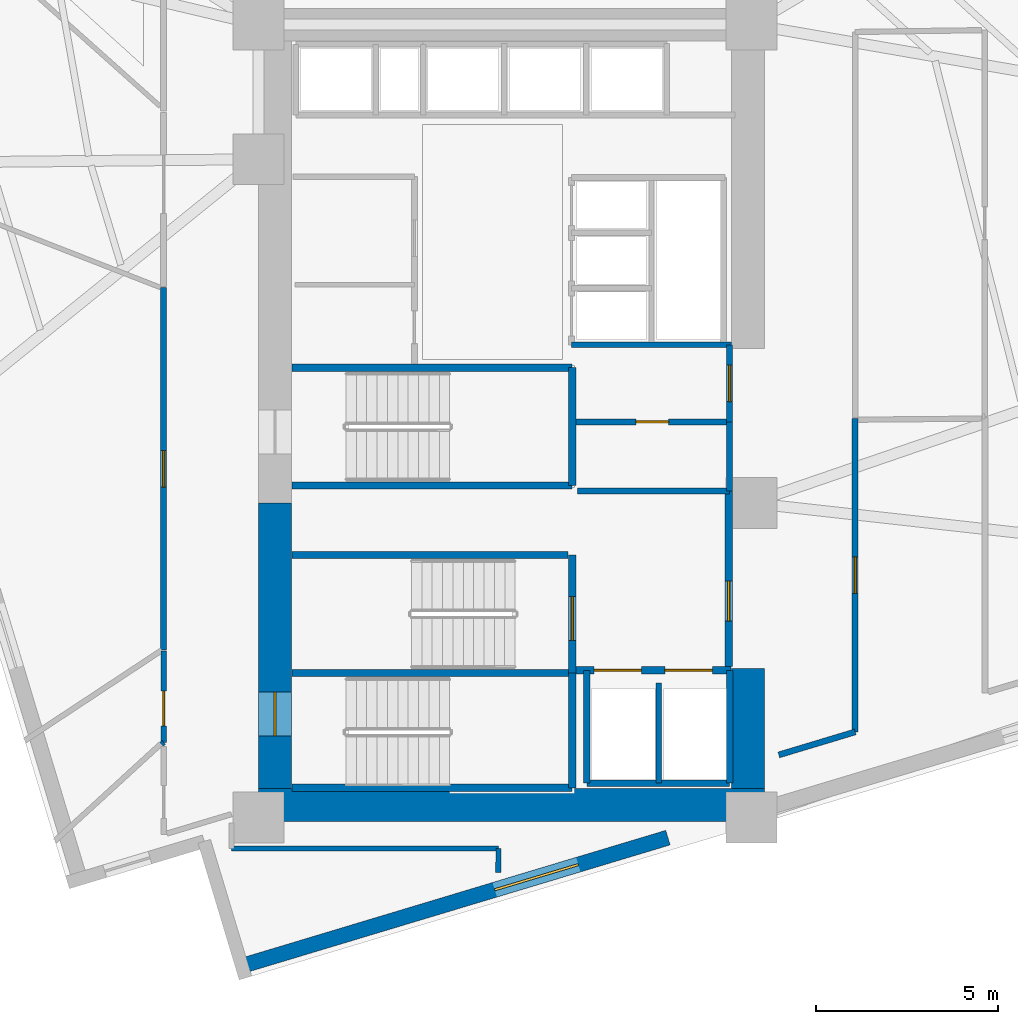
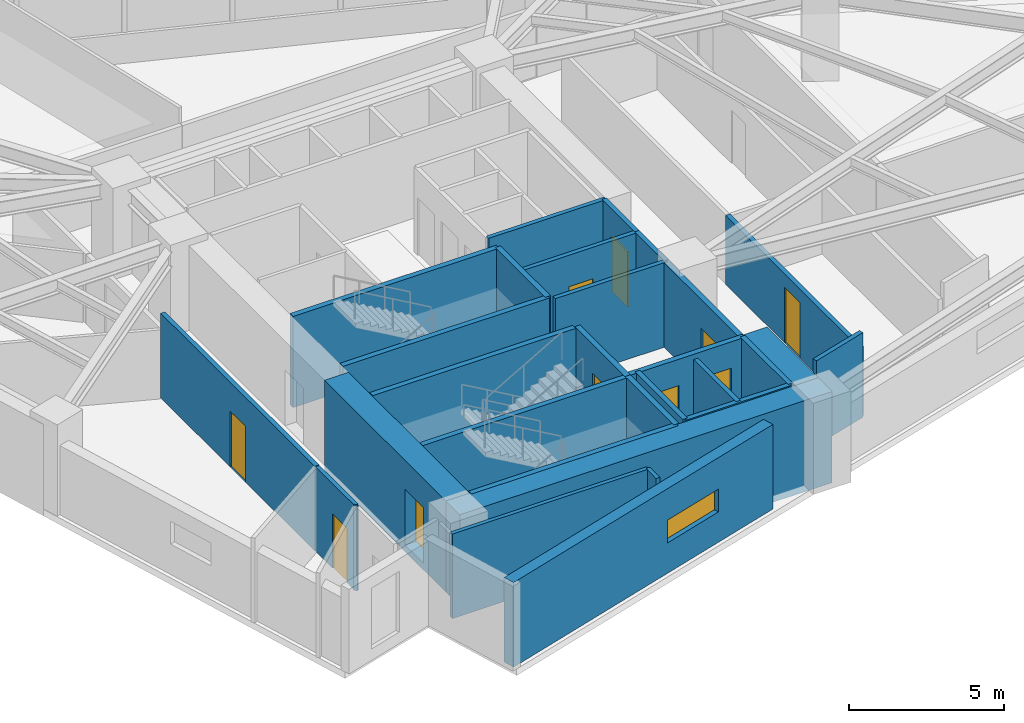
# One storey, part 10 of 15: 30 walls, 10 doors, 1 window, 11 openings.
"""IFC4 building model written with IfcOpenShell, lengths in metres."""

from ifc_helpers import new_model, si_unit, direction, frame, frame_2d, origin, place, context, subcontext, project, spatial, rectangle, extrude, material, layer, layer_set, type_object, element, fill, save


model = new_model("IFC4")

# Units and contexts
model_context = context("Model", 3, precision=1e-05, world=origin(), true_north=direction((0.0, 1.0)))
body_context = subcontext(model_context, "Body", "Model", "MODEL_VIEW")
ifc_project = project(units=[si_unit("LENGTHUNIT", "METRE"), si_unit("AREAUNIT", "SQUARE_METRE"), si_unit("VOLUMEUNIT", "CUBIC_METRE"), si_unit("PLANEANGLEUNIT", "RADIAN"), si_unit("MASSUNIT", "GRAM", prefix="KILO")], contexts=[model_context])

# Site, building, storey
site_placement = place(None, origin())
site = spatial("IfcSite", under=ifc_project, at=site_placement, CompositionType="ELEMENT")
building_placement = place(site_placement, origin())
building = spatial("IfcBuilding", under=site, at=building_placement, Name="Narakoshi Arena Tower", CompositionType="ELEMENT")
storey_placement = place(building_placement, frame((0.0, 0.0, 157.5)))
storey = spatial("IfcBuildingStorey", under=building, at=storey_placement, Name="L42", CompositionType="ELEMENT", Elevation=157.5)

# Wall, opening, door
ifc_material_1 = material(Name="Concrete C60/75", Category="concrete")
ifc_layer_1 = layer(ifc_material_1, 0.89990234375)
ifc_layer_set_1 = layer_set([ifc_layer_1], Name="Concrete C60/75")
wall_type_1 = type_object("IfcWallType", Name="WL-CORE-900", PredefinedType="SHEAR", material=ifc_layer_set_1)
wall_1_placement = place(storey_placement, frame((72.449951171875, 35.5, -0.260009765625), z_axis=(0.0, 0.0, 1.0), x_axis=(0.0, 1.0, 0.0)))
wall_1 = element("IfcWall", 1, at=wall_1_placement, inside=storey, type_object=wall_type_1, Name="L42 Central Core Shear Wall CW-APX-W", PredefinedType="SHEAR", context=body_context, shape_type="SweptSolid", body=[
    extrude(rectangle(XDim=7.85009765625, YDim=0.89990234375, at=frame_2d((3.925048828125, 0.0))), origin(), (0.0, 0.0, 1.0), 3.60009765625),
])
opening_1_placement = place(wall_1_placement, frame((1.449951171875, 0.0, 0.260009765625)))
opening_1 = element("IfcOpeningElement", 2, at=opening_1_placement, cuts=wall_1, Name="Opening D-03", PredefinedType="OPENING", context=body_context, shape_type="SweptSolid", body=[
    extrude(rectangle(XDim=1.199951171875, YDim=2.199951171875, at=frame_2d((0.60009765625, 1.10009765625))), frame((0.0, 0.4599609375, 0.0), z_axis=(0.0, -1.0, 0.0), x_axis=(1.0, 0.0, 0.0)), (0.0, 0.0, 1.0), 0.919921875),
])
ifc_material_2 = material(Name="Painted galvanized steel", Category="steel")
door_type_1 = type_object("IfcDoorType", Name="DR-STR-1200", OperationType="NOTDEFINED", PredefinedType="USERDEFINED", material=ifc_material_2)
door_1_placement = place(opening_1_placement, frame((1.199951171875, 0.0, 0.0), z_axis=(0.0, 0.0, 1.0), x_axis=(-1.0, 0.0, 0.0)))
door_1 = element("IfcDoor", 3, at=door_1_placement, inside=storey, type_object=door_type_1, Name="DR-L42-001", ObjectType="EXITDOOR", OperationType="SINGLE_SWING_LEFT", OverallHeight=2.199951171875, OverallWidth=1.199951171875, PredefinedType="USERDEFINED", context=body_context, shape_type="SweptSolid", body=[
    extrude(rectangle(XDim=1.199951171875, YDim=2.199951171875, at=frame_2d((0.60009765625, 1.10009765625))), frame((0.0, 0.02490234375, 0.0), z_axis=(0.0, -1.0, 0.0), x_axis=(1.0, 0.0, 0.0)), (0.0, 0.0, 1.0), 0.050048828125),
])
fill(opening_1, door_1)

# Walls
wall_2_placement = place(storey_placement, frame((72.0, 35.050048828125, -0.260009765625), z_axis=(0.0, 0.0, 1.0), x_axis=(1.0, 0.0, 0.0)))
element("IfcWall", 4, at=wall_2_placement, inside=storey, type_object=wall_type_1, Name="L42 Central Core Shear Wall CW-APX-S", PredefinedType="SHEAR", context=body_context, shape_type="SweptSolid", body=[
    extrude(rectangle(XDim=13.89990234375, YDim=0.89990234375, at=frame_2d((6.949951171875, 0.0))), origin(), (0.0, 0.0, 1.0), 3.60009765625),
])
wall_3_placement = place(storey_placement, frame((85.449951171875, 35.5, -0.260009765625), z_axis=(0.0, 0.0, 1.0), x_axis=(0.0, 1.0, 0.0)))
element("IfcWall", 5, at=wall_3_placement, inside=storey, type_object=wall_type_1, Name="L42 Central Core Shear Wall CW-APX-E", PredefinedType="SHEAR", context=body_context, shape_type="SweptSolid", body=[
    extrude(rectangle(XDim=3.300048828125, YDim=0.89990234375, at=frame_2d((1.64990234375, 0.0))), origin(), (0.0, 0.0, 1.0), 3.60009765625),
])

# Wall, opening, door
ifc_material_3 = material(Name="Gypsum plasterboard fire-rated partition")
ifc_layer_2 = layer(ifc_material_3, 0.1650390625)
ifc_layer_set_2 = layer_set([ifc_layer_2], Name="Gypsum plasterboard fire-rated partition")
wall_type_2 = type_object("IfcWallType", Name="WL-CORR-165", PredefinedType="PARTITIONING", material=ifc_layer_set_2)
wall_4_placement = place(storey_placement, frame((84.949951171875, 45.580078125, 0.0), z_axis=(0.0, 0.0, 1.0), x_axis=(0.0, 1.0, 0.0)))
wall_4 = element("IfcWall", 6, at=wall_4_placement, inside=storey, type_object=wall_type_2, Name="L42 Core Wall CPAS-E", PredefinedType="PARTITIONING", context=body_context, shape_type="SweptSolid", body=[
    extrude(rectangle(XDim=2.119873046875, YDim=0.1650390625, at=frame_2d((1.06005859375, 0.0))), origin(), (0.0, 0.0, 1.0), 3.340087890625),
])
opening_2_placement = place(wall_4_placement, frame((0.56005859375, 0.0, 0.0)))
opening_2 = element("IfcOpeningElement", 7, at=opening_2_placement, cuts=wall_4, Name="Opening D-06", PredefinedType="OPENING", context=body_context, shape_type="SweptSolid", body=[
    extrude(rectangle(XDim=1.0, YDim=2.199951171875, at=frame_2d((0.5, 1.10009765625))), frame((0.0, 0.092529296875, 0.0), z_axis=(0.0, -1.0, 0.0), x_axis=(1.0, 0.0, 0.0)), (0.0, 0.0, 1.0), 0.18505859375),
])
ifc_material_4 = material(Name="Stained oak solid-core timber", Category="wood")
door_type_2 = type_object("IfcDoorType", Name="DR-OFF-1000", OperationType="NOTDEFINED", PredefinedType="DOOR", material=ifc_material_4)
door_2_placement = place(opening_2_placement, frame((1.0, 0.0, 0.0), z_axis=(0.0, 0.0, 1.0), x_axis=(-1.0, 0.0, 0.0)))
door_2 = element("IfcDoor", 8, at=door_2_placement, inside=storey, type_object=door_type_2, Name="DR-L42-007", OperationType="SINGLE_SWING_LEFT", OverallHeight=2.199951171875, OverallWidth=1.0, PredefinedType="DOOR", context=body_context, shape_type="SweptSolid", body=[
    extrude(rectangle(XDim=1.0, YDim=2.199951171875, at=frame_2d((0.5, 1.10009765625))), frame((0.0, 0.02490234375, 0.0), z_axis=(0.0, -1.0, 0.0), x_axis=(1.0, 0.0, 0.0)), (0.0, 0.0, 1.0), 0.050048828125),
])
fill(opening_2, door_2)

wall_5_placement = place(storey_placement, frame((69.388916015625, 49.27392578125, 0.0), z_axis=(0.0, 0.0, 1.0), x_axis=(0.0, -1.0, 0.0)))
wall_5 = element("IfcWall", 9, at=wall_5_placement, inside=storey, type_object=wall_type_2, Name="L42 Corridor Partition 01-1", PredefinedType="PARTITIONING", context=body_context, shape_type="SweptSolid", body=[
    extrude(rectangle(XDim=9.96826171875, YDim=0.1650390625, at=frame_2d((4.984130859375, 0.0))), origin(), (0.0, 0.0, 1.0), 3.340087890625),
])
opening_3_placement = place(wall_5_placement, frame((4.484130859375, 0.0, 0.0)))
opening_3 = element("IfcOpeningElement", 10, at=opening_3_placement, cuts=wall_5, Name="Opening D-06", PredefinedType="OPENING", context=body_context, shape_type="SweptSolid", body=[
    extrude(rectangle(XDim=1.0, YDim=2.199951171875, at=frame_2d((0.5, 1.10009765625))), frame((0.0, 0.092529296875, 0.0), z_axis=(0.0, -1.0, 0.0), x_axis=(1.0, 0.0, 0.0)), (0.0, 0.0, 1.0), 0.18505859375),
])
door_3_placement = place(opening_3_placement, frame((1.0, 0.0, 0.0), z_axis=(0.0, 0.0, 1.0), x_axis=(-1.0, 0.0, 0.0)))
door_3 = element("IfcDoor", 11, at=door_3_placement, inside=storey, type_object=door_type_2, Name="DR-L42-014", OperationType="SINGLE_SWING_RIGHT", OverallHeight=2.199951171875, OverallWidth=1.0, PredefinedType="DOOR", context=body_context, shape_type="SweptSolid", body=[
    extrude(rectangle(XDim=1.0, YDim=2.199951171875, at=frame_2d((0.5, 1.10009765625))), frame((0.0, 0.02490234375, 0.0), z_axis=(0.0, -1.0, 0.0), x_axis=(1.0, 0.0, 0.0)), (0.0, 0.0, 1.0), 0.050048828125),
])
fill(opening_3, door_3)

wall_6_placement = place(storey_placement, frame((88.39990234375, 37.05712890625, 0.0), z_axis=(0.0, 0.0, 1.0), x_axis=(0.0, 1.0, 0.0)))
wall_6 = element("IfcWall", 12, at=wall_6_placement, inside=storey, type_object=wall_type_2, Name="L42 Corridor Partition 04-1", PredefinedType="PARTITIONING", context=body_context, shape_type="SweptSolid", body=[
    extrude(rectangle(XDim=8.6181640625, YDim=0.1650390625, at=frame_2d((4.30908203125, 0.0))), origin(), (0.0, 0.0, 1.0), 2.72509765625),
])
opening_4_placement = place(wall_6_placement, frame((3.80908203125, 0.0, 0.0)))
opening_4 = element("IfcOpeningElement", 13, at=opening_4_placement, cuts=wall_6, Name="Opening D-06", PredefinedType="OPENING", context=body_context, shape_type="SweptSolid", body=[
    extrude(rectangle(XDim=1.0, YDim=2.199951171875, at=frame_2d((0.5, 1.10009765625))), frame((0.0, 0.092529296875, 0.0), z_axis=(0.0, -1.0, 0.0), x_axis=(1.0, 0.0, 0.0)), (0.0, 0.0, 1.0), 0.18505859375),
])
door_4_placement = place(opening_4_placement, frame((1.0, 0.0, 0.0), z_axis=(0.0, 0.0, 1.0), x_axis=(-1.0, 0.0, 0.0)))
door_4 = element("IfcDoor", 14, at=door_4_placement, inside=storey, type_object=door_type_2, Name="DR-L42-017", OperationType="SINGLE_SWING_LEFT", OverallHeight=2.199951171875, OverallWidth=1.0, PredefinedType="DOOR", context=body_context, shape_type="SweptSolid", body=[
    extrude(rectangle(XDim=1.0, YDim=2.199951171875, at=frame_2d((0.5, 1.10009765625))), frame((0.0, 0.02490234375, 0.0), z_axis=(0.0, -1.0, 0.0), x_axis=(1.0, 0.0, 0.0)), (0.0, 0.0, 1.0), 0.050048828125),
])
fill(opening_4, door_4)

# Wall
wall_7_placement = place(storey_placement, frame((86.300048828125, 36.425048828125, 0.0), z_axis=(0.0, 0.0, 1.0), x_axis=(0.957559291079, 0.288236368399, 0.0)))
element("IfcWall", 15, at=wall_7_placement, inside=storey, type_object=wall_type_2, Name="L42 Corridor Partition 04-5", PredefinedType="PARTITIONING", context=body_context, shape_type="SweptSolid", body=[
    extrude(rectangle(XDim=2.19287109375, YDim=0.1650390625, at=frame_2d((1.096435546875, 0.0))), origin(), (0.0, 0.0, 1.0), 3.340087890625),
])

# Wall, opening, window
ifc_material_5 = material(Name="Precast concrete C45/55", Category="concrete")
ifc_layer_3 = layer(ifc_material_5, 0.419921875)
ifc_layer_set_3 = layer_set([ifc_layer_3], Name="Precast concrete C45/55")
wall_type_3 = type_object("IfcWallType", Name="WL-POD-420", PredefinedType="SOLIDWALL", material=ifc_layer_set_3)
wall_8_placement = place(storey_placement, frame((71.53466796875, 30.62353515625, 0.0), z_axis=(0.0, 0.0, 1.0), x_axis=(0.957571099539, 0.288197136226, 0.0)))
wall_8 = element("IfcWall", 16, at=wall_8_placement, inside=storey, type_object=wall_type_3, Name="L42 Architectural Concrete Facade Wall LEGA-1", PredefinedType="SOLIDWALL", context=body_context, shape_type="SweptSolid", body=[
    extrude(rectangle(XDim=12.23583984375, YDim=0.419921875, at=frame_2d((6.117919921875, 0.0))), origin(), (0.0, 0.0, 1.0), 3.340087890625),
])
opening_5_placement = place(wall_8_placement, frame((7.263916015625, 0.0, 1.199951171875)))
opening_5 = element("IfcOpeningElement", 17, at=opening_5_placement, cuts=wall_8, Name="Opening WN-01", PredefinedType="OPENING", context=body_context, shape_type="SweptSolid", body=[
    extrude(rectangle(XDim=2.39990234375, YDim=0.89990234375, at=frame_2d((1.199951171875, 0.449951171875))), frame((0.0, 0.219970703125, 0.0), z_axis=(0.0, -1.0, 0.0), x_axis=(1.0, 0.0, 0.0)), (0.0, 0.0, 1.0), 0.43994140625),
])
ifc_material_6 = material(Name="Bronze-tinted low-E laminated glass", Category="glass")
window_type = type_object("IfcWindowType", Name="WIN-SLT-24x09", PartitioningType="SINGLE_PANEL", PredefinedType="WINDOW", material=ifc_material_6)
window_placement = place(opening_5_placement, origin())
window = element("IfcWindow", 18, at=window_placement, inside=storey, type_object=window_type, Name="L42 LEGA1 Horizontal Slot Window 1", OverallHeight=0.89990234375, OverallWidth=2.39990234375, PartitioningType="SINGLE_PANEL", PredefinedType="WINDOW", context=body_context, shape_type="SweptSolid", body=[
    extrude(rectangle(XDim=2.39990234375, YDim=0.89990234375, at=frame_2d((1.199951171875, 0.449951171875))), frame((0.0, 0.030029296875, 0.0), z_axis=(0.0, -1.0, 0.0), x_axis=(1.0, 0.0, 0.0)), (0.0, 0.0, 1.0), 0.06005859375),
])
fill(opening_5, window)

# Walls
ifc_material_7 = material(Name="Concrete C40/50", Category="concrete")
ifc_layer_4 = layer(ifc_material_7, 0.280029296875)
ifc_layer_set_4 = layer_set([ifc_layer_4], Name="Concrete C40/50")
wall_type_4 = type_object("IfcWallType", Name="WL-RISER-280", PredefinedType="PLUMBINGWALL", material=ifc_layer_set_4)
wall_9_placement = place(storey_placement, frame((83.0, 35.64990234375, 0.0), z_axis=(0.0, 0.0, 1.0), x_axis=(0.0, 1.0, 0.0)))
element("IfcWall", 19, at=wall_9_placement, inside=storey, type_object=wall_type_4, Name="L42 Core Wall FF-DIV", PredefinedType="PLUMBINGWALL", context=body_context, shape_type="SweptSolid", body=[
    extrude(rectangle(XDim=2.75, YDim=0.159912109375, at=frame_2d((1.375, 0.0))), origin(), (0.0, 0.0, 1.0), 3.340087890625),
])
wall_10_placement = place(storey_placement, frame((84.949951171875, 43.679931640625, 0.0), z_axis=(0.0, 0.0, 1.0), x_axis=(0.0, 1.0, 0.0)))
element("IfcWall", 20, at=wall_10_placement, inside=storey, type_object=wall_type_4, Name="L42 Core Wall RSR-E", PredefinedType="PLUMBINGWALL", context=body_context, shape_type="SweptSolid", body=[
    extrude(rectangle(XDim=1.900146484375, YDim=0.1650390625, at=frame_2d((0.9501953125, 0.0))), origin(), (0.0, 0.0, 1.0), 3.340087890625),
])

# Wall, opening, door
wall_11_placement = place(storey_placement, frame((80.719970703125, 45.580078125, 0.0), z_axis=(0.0, 0.0, 1.0), x_axis=(1.0, 0.0, 0.0)))
wall_11 = element("IfcWall", 21, at=wall_11_placement, inside=storey, type_object=wall_type_4, Name="L42 Core Wall RSR-N", PredefinedType="PLUMBINGWALL", context=body_context, shape_type="SweptSolid", body=[
    extrude(rectangle(XDim=4.22998046875, YDim=0.159912109375, at=frame_2d((2.114990234375, 0.0))), origin(), (0.0, 0.0, 1.0), 3.340087890625),
])
opening_6_placement = place(wall_11_placement, frame((1.64990234375, 0.0, 0.0)))
opening_6 = element("IfcOpeningElement", 22, at=opening_6_placement, cuts=wall_11, Name="Opening D-08", PredefinedType="OPENING", context=body_context, shape_type="SweptSolid", body=[
    extrude(rectangle(XDim=0.89990234375, YDim=2.10009765625, at=frame_2d((0.449951171875, 1.050048828125))), frame((0.0, 0.08984375, 0.0), z_axis=(0.0, -1.0, 0.0), x_axis=(1.0, 0.0, 0.0)), (0.0, 0.0, 1.0), 0.179931640625),
])
ifc_material_8 = material(Name="Moisture-resistant laminate timber", Category="wood")
door_type_3 = type_object("IfcDoorType", Name="DR-WC-900", OperationType="NOTDEFINED", PredefinedType="DOOR", material=ifc_material_8)
door_5_placement = place(opening_6_placement, frame((0.89990234375, 0.0, 0.0), z_axis=(0.0, 0.0, 1.0), x_axis=(-1.0, 0.0, 0.0)))
door_5 = element("IfcDoor", 23, at=door_5_placement, inside=storey, type_object=door_type_3, Name="DR-L42-008", OperationType="SINGLE_SWING_LEFT", OverallHeight=2.10009765625, OverallWidth=0.89990234375, PredefinedType="DOOR", context=body_context, shape_type="SweptSolid", body=[
    extrude(rectangle(XDim=0.89990234375, YDim=2.10009765625, at=frame_2d((0.449951171875, 1.050048828125))), frame((0.0, 0.02490234375, 0.0), z_axis=(0.0, -1.0, 0.0), x_axis=(1.0, 0.0, 0.0)), (0.0, 0.0, 1.0), 0.050048828125),
])
fill(opening_6, door_5)

# Walls
wall_12_placement = place(storey_placement, frame((80.760009765625, 43.679931640625, 0.0), z_axis=(0.0, 0.0, 1.0), x_axis=(1.0, 0.0, 0.0)))
element("IfcWall", 24, at=wall_12_placement, inside=storey, type_object=wall_type_4, Name="L42 Core Wall RSR-S", PredefinedType="PLUMBINGWALL", context=body_context, shape_type="SweptSolid", body=[
    extrude(rectangle(XDim=4.18994140625, YDim=0.159912109375, at=frame_2d((2.094970703125, 0.0))), origin(), (0.0, 0.0, 1.0), 3.340087890625),
])
ifc_material_9 = material(Name="Concrete C50/60", Category="concrete")
ifc_layer_5 = layer(ifc_material_9, 0.35009765625)
ifc_layer_set_5 = layer_set([ifc_layer_5], Name="Concrete C50/60")
wall_type_5 = type_object("IfcWallType", Name="WL-SHAFT-350", PredefinedType="SOLIDWALL", material=ifc_layer_set_5)
for number, where, z_axis, x_axis, name in (
    (25, (72.919921875, 35.52001953125, -0.260009765625), (0.0, 0.0, 1.0), (1.0, 0.0, 0.0), "L42 Core Wall ST1-S"),
    (26, (72.919921875, 38.675048828125, -0.260009765625), (0.0, 0.0, 1.0), (1.0, 0.0, 0.0), "L42 Core Wall ST12-DIV"),
):
    element("IfcWall", number, at=place(storey_placement, frame(where, z_axis=z_axis, x_axis=x_axis)), inside=storey, type_object=wall_type_5, Name=name, PredefinedType="SOLIDWALL", context=body_context, shape_type="SweptSolid", body=[
        extrude(rectangle(XDim=7.7001953125, YDim=0.199951171875, at=frame_2d((3.85009765625, 0.0))), origin(), (0.0, 0.0, 1.0), 3.60009765625),
    ])
wall_13_placement = place(storey_placement, frame((80.6201171875, 35.52001953125, -0.260009765625), z_axis=(0.0, 0.0, 1.0), x_axis=(0.0, 1.0, 0.0)))
element("IfcWall", 27, at=wall_13_placement, inside=storey, type_object=wall_type_5, Name="L42 Core Wall ST1-E", PredefinedType="SOLIDWALL", context=body_context, shape_type="SweptSolid", body=[
    extrude(rectangle(XDim=3.155029296875, YDim=0.199951171875, at=frame_2d((1.57763671875, 0.0))), origin(), (0.0, 0.0, 1.0), 3.60009765625),
])

# Wall, opening, door
wall_14_placement = place(storey_placement, frame((80.6201171875, 38.675048828125, -0.260009765625), z_axis=(0.0, 0.0, 1.0), x_axis=(0.0, 1.0, 0.0)))
wall_14 = element("IfcWall", 28, at=wall_14_placement, inside=storey, type_object=wall_type_5, Name="L42 Core Wall ST2-E", PredefinedType="SOLIDWALL", context=body_context, shape_type="SweptSolid", body=[
    extrude(rectangle(XDim=3.244873046875, YDim=0.199951171875, at=frame_2d((1.62255859375, 0.0))), origin(), (0.0, 0.0, 1.0), 3.60009765625),
])
opening_7_placement = place(wall_14_placement, frame((0.89990234375, 0.0, 0.260009765625)))
opening_7 = element("IfcOpeningElement", 29, at=opening_7_placement, cuts=wall_14, Name="Opening D-03", PredefinedType="OPENING", context=body_context, shape_type="SweptSolid", body=[
    extrude(rectangle(XDim=1.199951171875, YDim=2.199951171875, at=frame_2d((0.60009765625, 1.10009765625))), frame((0.0, 0.10986328125, 0.0), z_axis=(0.0, -1.0, 0.0), x_axis=(1.0, 0.0, 0.0)), (0.0, 0.0, 1.0), 0.219970703125),
])
door_6_placement = place(opening_7_placement, origin())
door_6 = element("IfcDoor", 30, at=door_6_placement, inside=storey, type_object=door_type_1, Name="DR-L42-002", ObjectType="EXITDOOR", OperationType="SINGLE_SWING_RIGHT", OverallHeight=2.199951171875, OverallWidth=1.199951171875, PredefinedType="USERDEFINED", context=body_context, shape_type="SweptSolid", body=[
    extrude(rectangle(XDim=1.199951171875, YDim=2.199951171875, at=frame_2d((0.60009765625, 1.10009765625))), frame((0.0, 0.02490234375, 0.0), z_axis=(0.0, -1.0, 0.0), x_axis=(1.0, 0.0, 0.0)), (0.0, 0.0, 1.0), 0.050048828125),
])
fill(opening_7, door_6)

# Wall, openings, doors
wall_15_placement = place(storey_placement, frame((80.719970703125, 38.75, 0.0), z_axis=(0.0, 0.0, 1.0), x_axis=(1.0, 0.0, 0.0)))
wall_15 = element("IfcWall", 31, at=wall_15_placement, inside=storey, type_object=wall_type_5, Name="L42 Core Wall FF-N", PredefinedType="SOLIDWALL", context=body_context, shape_type="SweptSolid", body=[
    extrude(rectangle(XDim=4.260009765625, YDim=0.199951171875, at=frame_2d((2.1298828125, 0.0))), origin(), (0.0, 0.0, 1.0), 3.340087890625),
])
opening_8_placement = place(wall_15_placement, frame((0.5, 0.0, 0.0)))
opening_8 = element("IfcOpeningElement", 32, at=opening_8_placement, cuts=wall_15, Name="Opening LD-02", PredefinedType="OPENING", context=body_context, shape_type="SweptSolid", body=[
    extrude(rectangle(XDim=1.300048828125, YDim=2.300048828125, at=frame_2d((0.64990234375, 1.14990234375))), frame((0.0, 0.10986328125, 0.0), z_axis=(0.0, -1.0, 0.0), x_axis=(1.0, 0.0, 0.0)), (0.0, 0.0, 1.0), 0.219970703125),
])
opening_9_placement = place(wall_15_placement, frame((2.449951171875, 0.0, 0.0)))
opening_9 = element("IfcOpeningElement", 33, at=opening_9_placement, cuts=wall_15, Name="Opening LD-02", PredefinedType="OPENING", context=body_context, shape_type="SweptSolid", body=[
    extrude(rectangle(XDim=1.300048828125, YDim=2.300048828125, at=frame_2d((0.64990234375, 1.14990234375))), frame((0.0, 0.10986328125, 0.0), z_axis=(0.0, -1.0, 0.0), x_axis=(1.0, 0.0, 0.0)), (0.0, 0.0, 1.0), 0.219970703125),
])
ifc_material_10 = material(Name="Brushed bronze stainless steel", Category="steel")
door_type_4 = type_object("IfcDoorType", Name="DR-LFT-1300", OperationType="DOUBLE_DOOR_SLIDING", PredefinedType="DOOR", material=ifc_material_10)
door_7_placement = place(opening_8_placement, origin())
door_7 = element("IfcDoor", 34, at=door_7_placement, inside=storey, type_object=door_type_4, Name="DR-L42-003", OperationType="DOUBLE_DOOR_SLIDING", OverallHeight=2.300048828125, OverallWidth=1.300048828125, PredefinedType="DOOR", context=body_context, shape_type="SweptSolid", body=[
    extrude(rectangle(XDim=1.300048828125, YDim=2.300048828125, at=frame_2d((0.64990234375, 1.14990234375))), frame((0.0, 0.02490234375, 0.0), z_axis=(0.0, -1.0, 0.0), x_axis=(1.0, 0.0, 0.0)), (0.0, 0.0, 1.0), 0.050048828125),
])
fill(opening_8, door_7)
door_8_placement = place(opening_9_placement, origin())
door_8 = element("IfcDoor", 35, at=door_8_placement, inside=storey, type_object=door_type_4, Name="DR-L42-004", OperationType="DOUBLE_DOOR_SLIDING", OverallHeight=2.300048828125, OverallWidth=1.300048828125, PredefinedType="DOOR", context=body_context, shape_type="SweptSolid", body=[
    extrude(rectangle(XDim=1.300048828125, YDim=2.300048828125, at=frame_2d((0.64990234375, 1.14990234375))), frame((0.0, 0.02490234375, 0.0), z_axis=(0.0, -1.0, 0.0), x_axis=(1.0, 0.0, 0.0)), (0.0, 0.0, 1.0), 0.050048828125),
])
fill(opening_9, door_8)

# Walls
for number, where, z_axis, x_axis, name in (
    (36, (84.949951171875, 35.64990234375, 0.0), (0.0, 0.0, 1.0), (0.0, 1.0, 0.0), "L42 Core Wall FF-E"),
    (37, (81.02001953125, 35.64990234375, 0.0), (0.0, 0.0, 1.0), (0.0, 1.0, 0.0), "L42 Core Wall FF-W"),
):
    element("IfcWall", number, at=place(storey_placement, frame(where, z_axis=z_axis, x_axis=x_axis)), inside=storey, type_object=wall_type_5, Name=name, PredefinedType="SOLIDWALL", context=body_context, shape_type="SweptSolid", body=[
        extrude(rectangle(XDim=3.10009765625, YDim=0.179931640625, at=frame_2d((1.550048828125, 0.0))), origin(), (0.0, 0.0, 1.0), 3.340087890625),
    ])
wall_16_placement = place(storey_placement, frame((81.02001953125, 35.64990234375, 0.0), z_axis=(0.0, 0.0, 1.0), x_axis=(1.0, 0.0, 0.0)))
element("IfcWall", 38, at=wall_16_placement, inside=storey, type_object=wall_type_5, Name="L42 Core Wall FF-S", PredefinedType="SOLIDWALL", context=body_context, shape_type="SweptSolid", body=[
    extrude(rectangle(XDim=3.929931640625, YDim=0.179931640625, at=frame_2d((1.96484375, 0.0))), origin(), (0.0, 0.0, 1.0), 3.340087890625),
])

# Wall, opening, door
wall_17_placement = place(storey_placement, frame((84.919921875, 38.85009765625, 0.0), z_axis=(0.0, 0.0, 1.0), x_axis=(0.0, 1.0, 0.0)))
wall_17 = element("IfcWall", 39, at=wall_17_placement, inside=storey, type_object=wall_type_5, Name="L42 Core Wall FFLOB-E", PredefinedType="SOLIDWALL", context=body_context, shape_type="SweptSolid", body=[
    extrude(rectangle(XDim=4.829833984375, YDim=0.199951171875, at=frame_2d((2.4150390625, 0.0))), origin(), (0.0, 0.0, 1.0), 3.340087890625),
])
opening_10_placement = place(wall_17_placement, frame((1.25, 0.0, 0.0)))
opening_10 = element("IfcOpeningElement", 40, at=opening_10_placement, cuts=wall_17, Name="Opening D-04", PredefinedType="OPENING", context=body_context, shape_type="SweptSolid", body=[
    extrude(rectangle(XDim=1.10009765625, YDim=2.199951171875, at=frame_2d((0.550048828125, 1.10009765625))), frame((0.0, 0.10986328125, 0.0), z_axis=(0.0, -1.0, 0.0), x_axis=(1.0, 0.0, 0.0)), (0.0, 0.0, 1.0), 0.219970703125),
])
door_type_5 = type_object("IfcDoorType", Name="DR-FFL-1100", OperationType="NOTDEFINED", PredefinedType="DOOR", material=ifc_material_2)
door_9_placement = place(opening_10_placement, frame((1.10009765625, 0.0, 0.0), z_axis=(0.0, 0.0, 1.0), x_axis=(-1.0, 0.0, 0.0)))
door_9 = element("IfcDoor", 41, at=door_9_placement, inside=storey, type_object=door_type_5, Name="DR-L42-005", OperationType="SINGLE_SWING_RIGHT", OverallHeight=2.199951171875, OverallWidth=1.10009765625, PredefinedType="DOOR", context=body_context, shape_type="SweptSolid", body=[
    extrude(rectangle(XDim=1.10009765625, YDim=2.199951171875, at=frame_2d((0.550048828125, 1.10009765625))), frame((0.0, 0.02490234375, 0.0), z_axis=(0.0, -1.0, 0.0), x_axis=(1.0, 0.0, 0.0)), (0.0, 0.0, 1.0), 0.050048828125),
])
fill(opening_10, door_9)

# Walls
wall_18_placement = place(storey_placement, frame((72.919921875, 41.919921875, -0.260009765625), z_axis=(0.0, 0.0, 1.0), x_axis=(1.0, 0.0, 0.0)))
element("IfcWall", 42, at=wall_18_placement, inside=storey, type_object=wall_type_5, Name="L42 Core Wall ST2-N", PredefinedType="SOLIDWALL", context=body_context, shape_type="SweptSolid", body=[
    extrude(rectangle(XDim=7.580078125, YDim=0.199951171875, at=frame_2d((3.7900390625, 0.0))), origin(), (0.0, 0.0, 1.0), 3.60009765625),
])
for number, where, z_axis, x_axis, name in (
    (43, (72.919921875, 43.830078125, -0.260009765625), (0.0, 0.0, 1.0), (1.0, 0.0, 0.0), "L42 Core Wall ST3-S"),
    (44, (72.919921875, 47.070068359375, -0.260009765625), (0.0, 0.0, 1.0), (1.0, 0.0, 0.0), "L42 Core Wall ST3-N"),
):
    element("IfcWall", number, at=place(storey_placement, frame(where, z_axis=z_axis, x_axis=x_axis)), inside=storey, type_object=wall_type_5, Name=name, PredefinedType="SOLIDWALL", context=body_context, shape_type="SweptSolid", body=[
        extrude(rectangle(XDim=7.7001953125, YDim=0.199951171875, at=frame_2d((3.85009765625, 0.0))), origin(), (0.0, 0.0, 1.0), 3.60009765625),
    ])
wall_19_placement = place(storey_placement, frame((80.6201171875, 43.830078125, -0.260009765625), z_axis=(0.0, 0.0, 1.0), x_axis=(0.0, 1.0, 0.0)))
element("IfcWall", 45, at=wall_19_placement, inside=storey, type_object=wall_type_5, Name="L42 Core Wall ST3-E", PredefinedType="SOLIDWALL", context=body_context, shape_type="SweptSolid", body=[
    extrude(rectangle(XDim=3.239990234375, YDim=0.199951171875, at=frame_2d((1.6201171875, 0.0))), origin(), (0.0, 0.0, 1.0), 3.60009765625),
])
wall_20_placement = place(storey_placement, frame((80.60009765625, 47.699951171875, 0.0), z_axis=(0.0, 0.0, 1.0), x_axis=(1.0, 0.0, 0.0)))
element("IfcWall", 46, at=wall_20_placement, inside=storey, type_object=wall_type_5, Name="L42 Core Wall MR-S", PredefinedType="SOLIDWALL", context=body_context, shape_type="SweptSolid", body=[
    extrude(rectangle(XDim=4.39990234375, YDim=0.159912109375, at=frame_2d((2.199951171875, 0.0))), origin(), (0.0, 0.0, 1.0), 3.340087890625),
])

# Wall, opening, door
ifc_material_11 = material(Name="Moisture-resistant cement-board partition")
ifc_layer_6 = layer(ifc_material_11, 0.14501953125)
ifc_layer_set_6 = layer_set([ifc_layer_6], Name="Moisture-resistant cement-board partition")
wall_type_6 = type_object("IfcWallType", Name="WL-WET-145", PredefinedType="PARTITIONING", material=ifc_layer_set_6)
wall_21_placement = place(storey_placement, frame((69.388916015625, 39.27685546875, 0.0), z_axis=(0.0, 0.0, 1.0), x_axis=(0.0, -1.0, 0.0)))
wall_21 = element("IfcWall", 47, at=wall_21_placement, inside=storey, type_object=wall_type_6, Name="L42 Corridor Partition 02-1", PredefinedType="PARTITIONING", context=body_context, shape_type="SweptSolid", body=[
    extrude(rectangle(XDim=2.504150390625, YDim=0.14501953125, at=frame_2d((1.251953125, 0.0))), origin(), (0.0, 0.0, 1.0), 3.340087890625),
])
opening_11_placement = place(wall_21_placement, frame((1.100341796875, 0.0, 0.0)))
opening_11 = element("IfcOpeningElement", 48, at=opening_11_placement, cuts=wall_21, Name="Opening D-07", PredefinedType="OPENING", context=body_context, shape_type="SweptSolid", body=[
    extrude(rectangle(XDim=0.949951171875, YDim=2.14990234375, at=frame_2d((0.47509765625, 1.074951171875))), frame((0.0, 0.08251953125, 0.0), z_axis=(0.0, -1.0, 0.0), x_axis=(1.0, 0.0, 0.0)), (0.0, 0.0, 1.0), 0.1650390625),
])
door_type_6 = type_object("IfcDoorType", Name="DR-ACC-950", OperationType="NOTDEFINED", PredefinedType="DOOR", material=ifc_material_4)
door_10_placement = place(opening_11_placement, frame((0.949951171875, 0.0, 0.0), z_axis=(0.0, 0.0, 1.0), x_axis=(-1.0, 0.0, 0.0)))
door_10 = element("IfcDoor", 49, at=door_10_placement, inside=storey, type_object=door_type_6, Name="DR-L42-015", OperationType="SINGLE_SWING_RIGHT", OverallHeight=2.14990234375, OverallWidth=0.949951171875, PredefinedType="DOOR", context=body_context, shape_type="SweptSolid", body=[
    extrude(rectangle(XDim=0.949951171875, YDim=2.14990234375, at=frame_2d((0.47509765625, 1.074951171875))), frame((0.0, 0.02490234375, 0.0), z_axis=(0.0, -1.0, 0.0), x_axis=(1.0, 0.0, 0.0)), (0.0, 0.0, 1.0), 0.050048828125),
])
fill(opening_11, door_10)

# Walls
wall_22_placement = place(storey_placement, frame((69.388916015625, 36.772705078125, 0.0), z_axis=(0.0, 0.0, 1.0), x_axis=(-0.730366580174, -0.683055384698, 0.0)))
element("IfcWall", 50, at=wall_22_placement, inside=storey, type_object=wall_type_6, Name="L42 Corridor Partition 02-2", PredefinedType="PARTITIONING", context=body_context, shape_type="SweptSolid", body=[
    extrude(rectangle(XDim=0.08251953125, YDim=0.14501953125, at=frame_2d((0.041259765625, 0.0))), origin(), (0.0, 0.0, 1.0), 3.340087890625),
])
wall_23_placement = place(storey_placement, frame((71.25, 33.85009765625, 0.0), z_axis=(0.0, 0.0, 1.0), x_axis=(1.0, 0.0, 0.0)))
element("IfcWall", 51, at=wall_23_placement, inside=storey, type_object=wall_type_6, Name="L42 Room Enclosure Partition 03-2", PredefinedType="PARTITIONING", context=body_context, shape_type="SweptSolid", body=[
    extrude(rectangle(XDim=7.34619140625, YDim=0.14501953125, at=frame_2d((3.673095703125, 0.0))), origin(), (0.0, 0.0, 1.0), 3.340087890625),
])
wall_24_placement = place(storey_placement, frame((78.59619140625, 33.85009765625, 0.0), z_axis=(0.0, 0.0, 1.0), x_axis=(-0.016385137134, -0.99986575463, 0.0)))
element("IfcWall", 52, at=wall_24_placement, inside=storey, type_object=wall_type_6, Name="L42 Room Enclosure Partition 03-3", PredefinedType="PARTITIONING", context=body_context, shape_type="SweptSolid", body=[
    extrude(rectangle(XDim=0.655517578125, YDim=0.14501953125, at=frame_2d((0.32763671875, 0.0))), origin(), (0.0, 0.0, 1.0), 3.340087890625),
])

save(model, "model.ifc")
